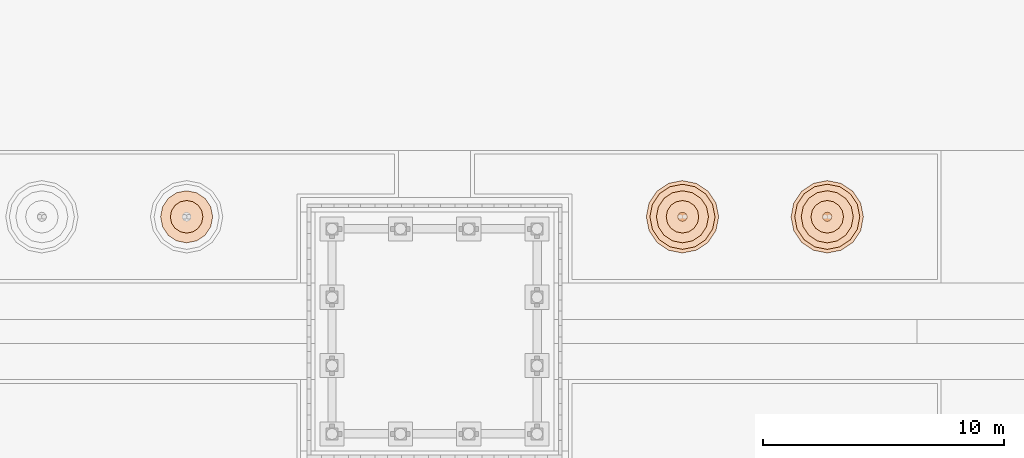
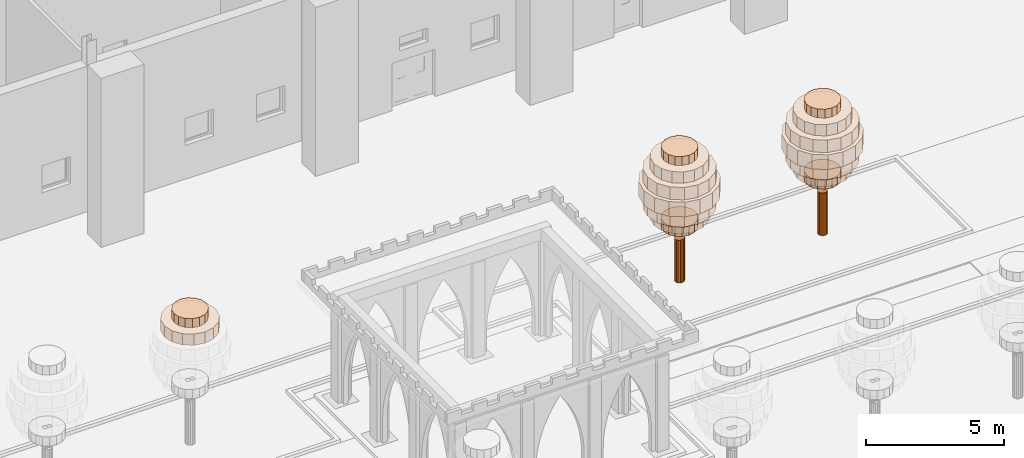
# One storey, part 242 of 250: 18 geographic elements.
"""IFC4 building model written with IfcOpenShell, lengths in metres."""

from ifc_helpers import new_model, si_unit, direction, frame, origin, place, context, subcontext, project, spatial, polyline, outline, extrude, material, type_object, element, save


model = new_model("IFC4")

# Units and contexts
model_context = context("Model", 3, precision=1e-05, world=origin(), true_north=direction((0.0, 1.0)))
body_context = subcontext(model_context, "Body", "Model", "MODEL_VIEW")
ifc_project = project(units=[si_unit("LENGTHUNIT", "METRE"), si_unit("AREAUNIT", "SQUARE_METRE"), si_unit("VOLUMEUNIT", "CUBIC_METRE"), si_unit("PLANEANGLEUNIT", "RADIAN"), si_unit("MASSUNIT", "GRAM", prefix="KILO")], contexts=[model_context])

# Site, building, storey
site_placement = place(None, origin())
site = spatial("IfcSite", under=ifc_project, at=site_placement, CompositionType="ELEMENT")
building_placement = place(site_placement, origin())
building = spatial("IfcBuilding", under=site, at=building_placement, Name="Baradari Gate Terminus", CompositionType="ELEMENT")
storey_placement = place(building_placement, origin())
storey = spatial("IfcBuildingStorey", under=building, at=storey_placement, Name="L00", CompositionType="ELEMENT", Elevation=0.0)

# Geographic elements
ifc_material_1 = material(Name="Planted foliage, green")
geographic_element_type_1 = type_object("IfcGeographicElementType", Name="Garden tree crown, belly layer TR-9 2700x550", PredefinedType="USERDEFINED", material=ifc_material_1)
for number, where, name in (
    (1, (0.0, 0.0, 3.300048828125), "Garden tree 21 crown 3"),
    (2, (0.0, 0.0, 4.5), "Garden tree 21 crown 5"),
):
    element("IfcGeographicElement", number, at=place(storey_placement, frame(where)), inside=storey, type_object=geographic_element_type_1, Name=name, ObjectType="TREE", PredefinedType="USERDEFINED", context=body_context, shape_type="SweptSolid", body=[
        extrude(outline(polyline([(44.625, 102.25), (44.522216796875, 102.7666015625), (44.2294921875, 103.20458984375), (43.79150390625, 103.497314453125), (43.27490234375, 103.60009765625), (42.75830078125, 103.497314453125), (42.3203125, 103.20458984375), (42.02783203125, 102.7666015625), (41.925048828125, 102.25), (42.02783203125, 101.7333984375), (42.3203125, 101.29541015625), (42.75830078125, 101.002685546875), (43.27490234375, 100.89990234375), (43.79150390625, 101.002685546875), (44.2294921875, 101.29541015625), (44.522216796875, 101.7333984375), (44.625, 102.25)])), origin(), (0.0, 0.0, 1.0), 0.550048828125),
    ])
for number, where, name in (
    (3, (0.0, 0.0, 3.300048828125), "Garden tree 22 crown 3"),
    (4, (0.0, 0.0, 4.5), "Garden tree 22 crown 5"),
):
    element("IfcGeographicElement", number, at=place(storey_placement, frame(where)), inside=storey, type_object=geographic_element_type_1, Name=name, ObjectType="TREE", PredefinedType="USERDEFINED", context=body_context, shape_type="SweptSolid", body=[
        extrude(outline(polyline([(50.625, 102.25), (50.522216796875, 102.7666015625), (50.2294921875, 103.20458984375), (49.79150390625, 103.497314453125), (49.27490234375, 103.60009765625), (48.75830078125, 103.497314453125), (48.3203125, 103.20458984375), (48.02783203125, 102.7666015625), (47.925048828125, 102.25), (48.02783203125, 101.7333984375), (48.3203125, 101.29541015625), (48.75830078125, 101.002685546875), (49.27490234375, 100.89990234375), (49.79150390625, 101.002685546875), (50.2294921875, 101.29541015625), (50.522216796875, 101.7333984375), (50.625, 102.25)])), origin(), (0.0, 0.0, 1.0), 0.550048828125),
    ])
ifc_material_2 = material(Name="Planted foliage, green")
geographic_element_type_2 = type_object("IfcGeographicElementType", Name="Garden tree crown, core layer TR-10 3000x650", PredefinedType="USERDEFINED", material=ifc_material_2)
geographic_element_1_placement = place(storey_placement, frame((0.0, 0.0, 3.85009765625)))
element("IfcGeographicElement", 5, at=geographic_element_1_placement, inside=storey, type_object=geographic_element_type_2, Name="Garden tree 21 crown 4", ObjectType="TREE", PredefinedType="USERDEFINED", context=body_context, shape_type="SweptSolid", body=[
    extrude(outline(polyline([(44.77490234375, 102.25), (44.660888671875, 102.823974609375), (44.335693359375, 103.310546875), (43.84912109375, 103.6357421875), (43.27490234375, 103.75), (42.700927734375, 103.6357421875), (42.21435546875, 103.310546875), (41.88916015625, 102.823974609375), (41.77490234375, 102.25), (41.88916015625, 101.676025390625), (42.21435546875, 101.189453125), (42.700927734375, 100.8642578125), (43.27490234375, 100.75), (43.84912109375, 100.8642578125), (44.335693359375, 101.189453125), (44.660888671875, 101.676025390625), (44.77490234375, 102.25)])), origin(), (0.0, 0.0, 1.0), 0.64990234375),
])
geographic_element_2_placement = place(storey_placement, frame((0.0, 0.0, 3.85009765625)))
element("IfcGeographicElement", 6, at=geographic_element_2_placement, inside=storey, type_object=geographic_element_type_2, Name="Garden tree 22 crown 4", ObjectType="TREE", PredefinedType="USERDEFINED", context=body_context, shape_type="SweptSolid", body=[
    extrude(outline(polyline([(50.77490234375, 102.25), (50.660888671875, 102.823974609375), (50.335693359375, 103.310546875), (49.84912109375, 103.6357421875), (49.27490234375, 103.75), (48.700927734375, 103.6357421875), (48.21435546875, 103.310546875), (47.88916015625, 102.823974609375), (47.77490234375, 102.25), (47.88916015625, 101.676025390625), (48.21435546875, 101.189453125), (48.700927734375, 100.8642578125), (49.27490234375, 100.75), (49.84912109375, 100.8642578125), (50.335693359375, 101.189453125), (50.660888671875, 101.676025390625), (50.77490234375, 102.25)])), origin(), (0.0, 0.0, 1.0), 0.64990234375),
])
ifc_material_3 = material(Name="Planted foliage, green")
geographic_element_type_3 = type_object("IfcGeographicElementType", Name="Garden tree crown, rim layer TR-7 1350x400", PredefinedType="USERDEFINED", material=ifc_material_3)
geographic_element_3_placement = place(storey_placement, frame((0.0, 0.0, 5.550048828125)))
element("IfcGeographicElement", 7, at=geographic_element_3_placement, inside=storey, type_object=geographic_element_type_3, Name="Garden tree 17 crown 7", ObjectType="TREE", PredefinedType="USERDEFINED", context=body_context, shape_type="SweptSolid", body=[
    extrude(outline(polyline([(23.39990234375, 102.25), (23.3486328125, 102.50830078125), (23.202392578125, 102.727294921875), (22.9833984375, 102.87353515625), (22.72509765625, 102.925048828125), (22.466796875, 102.87353515625), (22.247802734375, 102.727294921875), (22.101318359375, 102.50830078125), (22.050048828125, 102.25), (22.101318359375, 101.99169921875), (22.247802734375, 101.772705078125), (22.466796875, 101.62646484375), (22.72509765625, 101.574951171875), (22.9833984375, 101.62646484375), (23.202392578125, 101.772705078125), (23.3486328125, 101.99169921875), (23.39990234375, 102.25)])), origin(), (0.0, 0.0, 1.0), 0.39990234375),
])
geographic_element_4_placement = place(storey_placement, frame((0.0, 0.0, 2.39990234375)))
element("IfcGeographicElement", 8, at=geographic_element_4_placement, inside=storey, type_object=geographic_element_type_3, Name="Garden tree 21 crown 1", ObjectType="TREE", PredefinedType="USERDEFINED", context=body_context, shape_type="SweptSolid", body=[
    extrude(outline(polyline([(43.949951171875, 102.25), (43.898681640625, 102.50830078125), (43.752197265625, 102.727294921875), (43.533203125, 102.87353515625), (43.27490234375, 102.925048828125), (43.0166015625, 102.87353515625), (42.797607421875, 102.727294921875), (42.6513671875, 102.50830078125), (42.60009765625, 102.25), (42.6513671875, 101.99169921875), (42.797607421875, 101.772705078125), (43.0166015625, 101.62646484375), (43.27490234375, 101.574951171875), (43.533203125, 101.62646484375), (43.752197265625, 101.772705078125), (43.898681640625, 101.99169921875), (43.949951171875, 102.25)])), origin(), (0.0, 0.0, 1.0), 0.400146484375),
])
geographic_element_5_placement = place(storey_placement, frame((0.0, 0.0, 5.550048828125)))
element("IfcGeographicElement", 9, at=geographic_element_5_placement, inside=storey, type_object=geographic_element_type_3, Name="Garden tree 21 crown 7", ObjectType="TREE", PredefinedType="USERDEFINED", context=body_context, shape_type="SweptSolid", body=[
    extrude(outline(polyline([(43.949951171875, 102.25), (43.898681640625, 102.50830078125), (43.752197265625, 102.727294921875), (43.533203125, 102.87353515625), (43.27490234375, 102.925048828125), (43.0166015625, 102.87353515625), (42.797607421875, 102.727294921875), (42.6513671875, 102.50830078125), (42.60009765625, 102.25), (42.6513671875, 101.99169921875), (42.797607421875, 101.772705078125), (43.0166015625, 101.62646484375), (43.27490234375, 101.574951171875), (43.533203125, 101.62646484375), (43.752197265625, 101.772705078125), (43.898681640625, 101.99169921875), (43.949951171875, 102.25)])), origin(), (0.0, 0.0, 1.0), 0.39990234375),
])
geographic_element_6_placement = place(storey_placement, frame((0.0, 0.0, 2.39990234375)))
element("IfcGeographicElement", 10, at=geographic_element_6_placement, inside=storey, type_object=geographic_element_type_3, Name="Garden tree 22 crown 1", ObjectType="TREE", PredefinedType="USERDEFINED", context=body_context, shape_type="SweptSolid", body=[
    extrude(outline(polyline([(49.949951171875, 102.25), (49.898681640625, 102.50830078125), (49.752197265625, 102.727294921875), (49.533203125, 102.87353515625), (49.27490234375, 102.925048828125), (49.0166015625, 102.87353515625), (48.797607421875, 102.727294921875), (48.6513671875, 102.50830078125), (48.60009765625, 102.25), (48.6513671875, 101.99169921875), (48.797607421875, 101.772705078125), (49.0166015625, 101.62646484375), (49.27490234375, 101.574951171875), (49.533203125, 101.62646484375), (49.752197265625, 101.772705078125), (49.898681640625, 101.99169921875), (49.949951171875, 102.25)])), origin(), (0.0, 0.0, 1.0), 0.400146484375),
])
geographic_element_7_placement = place(storey_placement, frame((0.0, 0.0, 5.550048828125)))
element("IfcGeographicElement", 11, at=geographic_element_7_placement, inside=storey, type_object=geographic_element_type_3, Name="Garden tree 22 crown 7", ObjectType="TREE", PredefinedType="USERDEFINED", context=body_context, shape_type="SweptSolid", body=[
    extrude(outline(polyline([(49.949951171875, 102.25), (49.898681640625, 102.50830078125), (49.752197265625, 102.727294921875), (49.533203125, 102.87353515625), (49.27490234375, 102.925048828125), (49.0166015625, 102.87353515625), (48.797607421875, 102.727294921875), (48.6513671875, 102.50830078125), (48.60009765625, 102.25), (48.6513671875, 101.99169921875), (48.797607421875, 101.772705078125), (49.0166015625, 101.62646484375), (49.27490234375, 101.574951171875), (49.533203125, 101.62646484375), (49.752197265625, 101.772705078125), (49.898681640625, 101.99169921875), (49.949951171875, 102.25)])), origin(), (0.0, 0.0, 1.0), 0.39990234375),
])
ifc_material_4 = material(Name="Planted foliage, green")
geographic_element_type_4 = type_object("IfcGeographicElementType", Name="Garden tree crown, shoulder layer TR-8 2160x500", PredefinedType="USERDEFINED", material=ifc_material_4)
geographic_element_8_placement = place(storey_placement, frame((0.0, 0.0, 5.050048828125)))
element("IfcGeographicElement", 12, at=geographic_element_8_placement, inside=storey, type_object=geographic_element_type_4, Name="Garden tree 17 crown 6", ObjectType="TREE", PredefinedType="USERDEFINED", context=body_context, shape_type="SweptSolid", body=[
    extrude(outline(polyline([(23.804931640625, 102.25), (23.722900390625, 102.663330078125), (23.48876953125, 103.013671875), (23.13818359375, 103.247802734375), (22.72509765625, 103.330078125), (22.311767578125, 103.247802734375), (21.96142578125, 103.013671875), (21.727294921875, 102.663330078125), (21.64501953125, 102.25), (21.727294921875, 101.836669921875), (21.96142578125, 101.486328125), (22.311767578125, 101.252197265625), (22.72509765625, 101.169921875), (23.13818359375, 101.252197265625), (23.48876953125, 101.486328125), (23.722900390625, 101.836669921875), (23.804931640625, 102.25)])), origin(), (0.0, 0.0, 1.0), 0.5),
])
for number, where, name in (
    (13, (0.0, 0.0, 2.800048828125), "Garden tree 21 crown 2"),
    (14, (0.0, 0.0, 5.050048828125), "Garden tree 21 crown 6"),
):
    element("IfcGeographicElement", number, at=place(storey_placement, frame(where)), inside=storey, type_object=geographic_element_type_4, Name=name, ObjectType="TREE", PredefinedType="USERDEFINED", context=body_context, shape_type="SweptSolid", body=[
        extrude(outline(polyline([(44.35498046875, 102.25), (44.272705078125, 102.663330078125), (44.03857421875, 103.013671875), (43.688232421875, 103.247802734375), (43.27490234375, 103.330078125), (42.86181640625, 103.247802734375), (42.51123046875, 103.013671875), (42.277099609375, 102.663330078125), (42.195068359375, 102.25), (42.277099609375, 101.836669921875), (42.51123046875, 101.486328125), (42.86181640625, 101.252197265625), (43.27490234375, 101.169921875), (43.688232421875, 101.252197265625), (44.03857421875, 101.486328125), (44.272705078125, 101.836669921875), (44.35498046875, 102.25)])), origin(), (0.0, 0.0, 1.0), 0.5),
    ])
for number, where, name in (
    (15, (0.0, 0.0, 2.800048828125), "Garden tree 22 crown 2"),
    (16, (0.0, 0.0, 5.050048828125), "Garden tree 22 crown 6"),
):
    element("IfcGeographicElement", number, at=place(storey_placement, frame(where)), inside=storey, type_object=geographic_element_type_4, Name=name, ObjectType="TREE", PredefinedType="USERDEFINED", context=body_context, shape_type="SweptSolid", body=[
        extrude(outline(polyline([(50.35498046875, 102.25), (50.272705078125, 102.663330078125), (50.03857421875, 103.013671875), (49.688232421875, 103.247802734375), (49.27490234375, 103.330078125), (48.86181640625, 103.247802734375), (48.51123046875, 103.013671875), (48.277099609375, 102.663330078125), (48.195068359375, 102.25), (48.277099609375, 101.836669921875), (48.51123046875, 101.486328125), (48.86181640625, 101.252197265625), (49.27490234375, 101.169921875), (49.688232421875, 101.252197265625), (50.03857421875, 101.486328125), (50.272705078125, 101.836669921875), (50.35498046875, 102.25)])), origin(), (0.0, 0.0, 1.0), 0.5),
    ])
ifc_material_5 = material(Name="Timber, hardwood", Category="wood")
geographic_element_type_5 = type_object("IfcGeographicElementType", Name="Garden tree trunk TR-6 380x1900", PredefinedType="USERDEFINED", material=ifc_material_5)
geographic_element_9_placement = place(storey_placement, origin())
element("IfcGeographicElement", 17, at=geographic_element_9_placement, inside=storey, type_object=geographic_element_type_5, Name="Garden tree 21 trunk", ObjectType="TREE", PredefinedType="USERDEFINED", context=body_context, shape_type="SweptSolid", body=[
    extrude(outline(polyline([(43.465087890625, 102.25), (43.450439453125, 102.32275390625), (43.409423828125, 102.38427734375), (43.34765625, 102.425537109375), (43.27490234375, 102.43994140625), (43.202392578125, 102.425537109375), (43.140625, 102.38427734375), (43.099365234375, 102.32275390625), (43.0849609375, 102.25), (43.099365234375, 102.17724609375), (43.140625, 102.11572265625), (43.202392578125, 102.074462890625), (43.27490234375, 102.06005859375), (43.34765625, 102.074462890625), (43.409423828125, 102.11572265625), (43.450439453125, 102.17724609375), (43.465087890625, 102.25)])), origin(), (0.0, 0.0, 1.0), 1.89990234375),
])
geographic_element_10_placement = place(storey_placement, origin())
element("IfcGeographicElement", 18, at=geographic_element_10_placement, inside=storey, type_object=geographic_element_type_5, Name="Garden tree 22 trunk", ObjectType="TREE", PredefinedType="USERDEFINED", context=body_context, shape_type="SweptSolid", body=[
    extrude(outline(polyline([(49.465087890625, 102.25), (49.450439453125, 102.32275390625), (49.409423828125, 102.38427734375), (49.34765625, 102.425537109375), (49.27490234375, 102.43994140625), (49.202392578125, 102.425537109375), (49.140625, 102.38427734375), (49.099365234375, 102.32275390625), (49.0849609375, 102.25), (49.099365234375, 102.17724609375), (49.140625, 102.11572265625), (49.202392578125, 102.074462890625), (49.27490234375, 102.06005859375), (49.34765625, 102.074462890625), (49.409423828125, 102.11572265625), (49.450439453125, 102.17724609375), (49.465087890625, 102.25)])), origin(), (0.0, 0.0, 1.0), 1.89990234375),
])

save(model, "model.ifc")
